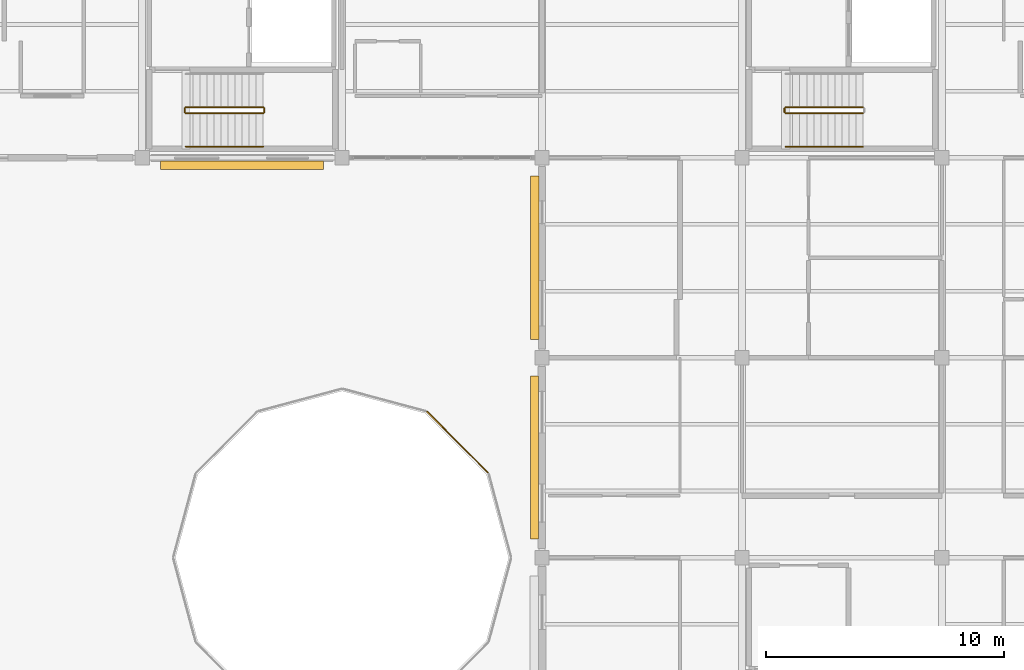
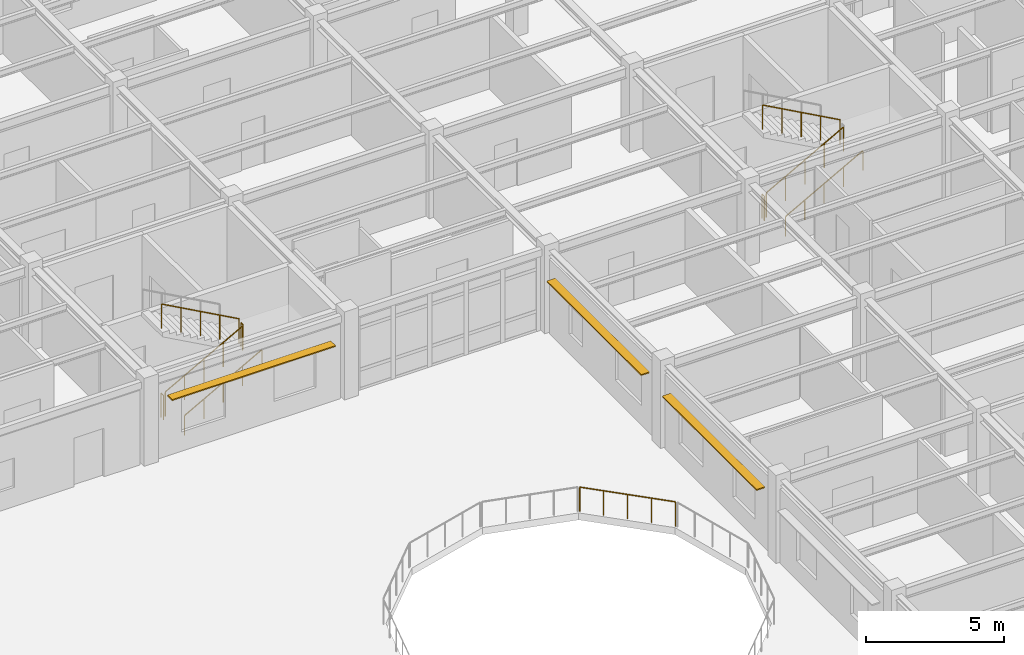
# One storey, part 79 of 86: 10 railings, 3 shading devices.
"""IFC4 building model written with IfcOpenShell, lengths in metres."""

from ifc_helpers import new_model, si_unit, direction, frame, origin, origin_2d, place, context, subcontext, project, spatial, rectangle, circle, extrude, material, material_profile, profile_set, type_object, element, save


model = new_model("IFC4")

# Units and contexts
model_context = context("Model", 3, precision=1e-05, world=origin(), true_north=direction((0.0, 1.0)))
body_context = subcontext(model_context, "Body", "Model", "MODEL_VIEW")
ifc_project = project(units=[si_unit("LENGTHUNIT", "METRE"), si_unit("AREAUNIT", "SQUARE_METRE"), si_unit("VOLUMEUNIT", "CUBIC_METRE"), si_unit("PLANEANGLEUNIT", "RADIAN"), si_unit("MASSUNIT", "GRAM", prefix="KILO")], contexts=[model_context])

# Site, building, storey
site_placement = place(None, origin())
site = spatial("IfcSite", under=ifc_project, at=site_placement, CompositionType="ELEMENT")
building_placement = place(site_placement, origin())
building = spatial("IfcBuilding", under=site, at=building_placement, Name="Bramfleet General Hospital", CompositionType="ELEMENT")
storey_placement = place(building_placement, frame((0.0, 0.0, 18.60009765625)))
storey = spatial("IfcBuildingStorey", under=building, at=storey_placement, Name="L04", CompositionType="ELEMENT", Elevation=18.60009765625)

# Railings
ifc_material_1 = material(Name="Stainless steel 1.4401 safety balustrade", Category="steel")
railing_type_1 = type_object("IfcRailingType", Name="RAIL-EXT-GUARD", PredefinedType="GUARDRAIL", material=ifc_material_1)
railing_1_placement = place(storey_placement, frame((90.125732421875, 79.177734375, 0.0)))
element("IfcRailing", 1, at=railing_1_placement, inside=storey, type_object=railing_type_1, Name="L04 Safety Guard Rail 177", PredefinedType="GUARDRAIL", context=body_context, shape_type="SweptSolid", body=[
    extrude(circle(Radius=0.02392578125, at=origin_2d()), frame((0.0, 0.0, 1.076171875), z_axis=(-0.707072903751, 0.707140656999, 0.0), x_axis=(-0.707140656999, -0.707072903751, 0.0)), (0.0, 0.0, 1.0), 3.603271484375),
    extrude(circle(Radius=0.02099609375, at=origin_2d()), origin(), (0.0, 0.0, 1.0), 1.052001953125),
    extrude(circle(Radius=0.02099609375, at=origin_2d()), frame((-0.636962890625, 0.636962890625, 0.0)), (0.0, 0.0, 1.0), 1.052001953125),
    extrude(circle(Radius=0.02099609375, at=origin_2d()), frame((-1.27392578125, 1.27392578125, 0.0)), (0.0, 0.0, 1.0), 1.052001953125),
    extrude(circle(Radius=0.02099609375, at=origin_2d()), frame((-1.910888671875, 1.9111328125, 0.0)), (0.0, 0.0, 1.0), 1.052001953125),
    extrude(circle(Radius=0.02099609375, at=origin_2d()), frame((-2.5478515625, 2.548095703125, 0.0)), (0.0, 0.0, 1.0), 1.052001953125),
])
ifc_material_2 = material(Name="Powder-coated steel stair balustrade", Category="steel")
railing_type_2 = type_object("IfcRailingType", Name="RAIL-ST-GUARD", PredefinedType="GUARDRAIL", material=ifc_material_2)
railing_2_placement = place(storey_placement, frame((102.639892578125, 94.27001953125, 0.162353515625)))
element("IfcRailing", 2, at=railing_2_placement, inside=storey, type_object=railing_type_2, Name="L04 ST-C4 stair guard 1", PredefinedType="GUARDRAIL", context=body_context, shape_type="SweptSolid", body=[
    extrude(circle(Radius=0.02392578125, at=origin_2d()), frame((0.0, 0.0, 1.076171875), z_axis=(0.875898504189, 0.0, 0.482495399314), x_axis=(0.0, 1.0, 0.0)), (0.0, 0.0, 1.0), 3.704833984375),
    extrude(circle(Radius=0.02099609375, at=origin_2d()), origin(), (0.0, 0.0, 1.0), 1.052001953125),
    extrude(circle(Radius=0.02099609375, at=origin_2d()), frame((0.811279296875, 0.0, 0.44677734375)), (0.0, 0.0, 1.0), 1.052001953125),
    extrude(circle(Radius=0.02099609375, at=origin_2d()), frame((1.62255859375, 0.0, 0.893798828125)), (0.0, 0.0, 1.0), 1.052001953125),
    extrude(circle(Radius=0.02099609375, at=origin_2d()), frame((2.433837890625, 0.0, 1.3408203125)), (0.0, 0.0, 1.0), 1.052001953125),
    extrude(circle(Radius=0.02099609375, at=origin_2d()), frame((3.2451171875, 0.0, 1.78759765625)), (0.0, 0.0, 1.0), 1.052001953125),
])
railing_3_placement = place(storey_placement, frame((105.885009765625, 94.530029296875, 2.1123046875)))
element("IfcRailing", 3, at=railing_3_placement, inside=storey, type_object=railing_type_2, Name="L04 ST-C4 stair guard 3", PredefinedType="GUARDRAIL", context=body_context, shape_type="SweptSolid", body=[
    extrude(circle(Radius=0.02392578125, at=origin_2d()), frame((0.0, 0.0, 1.076171875), z_axis=(-0.875898504189, 0.0, 0.482495399314), x_axis=(0.0, -1.0, 0.0)), (0.0, 0.0, 1.0), 3.704833984375),
    extrude(circle(Radius=0.02099609375, at=origin_2d()), origin(), (0.0, 0.0, 1.0), 1.052001953125),
    extrude(circle(Radius=0.02099609375, at=origin_2d()), frame((-0.811279296875, 0.0, 0.44677734375)), (0.0, 0.0, 1.0), 1.052001953125),
    extrude(circle(Radius=0.02099609375, at=origin_2d()), frame((-1.62255859375, 0.0, 0.893798828125)), (0.0, 0.0, 1.0), 1.052001953125),
    extrude(circle(Radius=0.02099609375, at=origin_2d()), frame((-2.433837890625, 0.0, 1.3408203125)), (0.0, 0.0, 1.0), 1.052001953125),
    extrude(circle(Radius=0.02099609375, at=origin_2d()), frame((-3.2451171875, 0.0, 1.78759765625)), (0.0, 0.0, 1.0), 1.052001953125),
])
railing_4_placement = place(storey_placement, frame((102.590087890625, 94.320068359375, 0.0)))
element("IfcRailing", 4, at=railing_4_placement, inside=storey, type_object=railing_type_2, Name="L04 ST-C4 stair guard 4", PredefinedType="GUARDRAIL", context=body_context, shape_type="SweptSolid", body=[
    extrude(circle(Radius=0.02392578125, at=origin_2d()), frame((0.0, 0.0, 1.076171875), z_axis=(0.0, 1.0, 0.0), x_axis=(-1.0, 0.0, 0.0)), (0.0, 0.0, 1.0), 0.159912109375),
    extrude(circle(Radius=0.02099609375, at=origin_2d()), origin(), (0.0, 0.0, 1.0), 1.052001953125),
    extrude(circle(Radius=0.02099609375, at=origin_2d()), frame((0.0, 0.159912109375, 0.0)), (0.0, 0.0, 1.0), 1.052001953125),
])
railing_5_placement = place(storey_placement, frame((77.43994140625, 94.27001953125, 0.162353515625)))
element("IfcRailing", 5, at=railing_5_placement, inside=storey, type_object=railing_type_2, Name="L04 ST-C5 stair guard 1", PredefinedType="GUARDRAIL", context=body_context, shape_type="SweptSolid", body=[
    extrude(circle(Radius=0.02392578125, at=origin_2d()), frame((0.0, 0.0, 1.076171875), z_axis=(0.875898504189, 0.0, 0.482495399314), x_axis=(0.0, 1.0, 0.0)), (0.0, 0.0, 1.0), 3.704833984375),
    extrude(circle(Radius=0.02099609375, at=origin_2d()), origin(), (0.0, 0.0, 1.0), 1.052001953125),
    extrude(circle(Radius=0.02099609375, at=origin_2d()), frame((0.811279296875, 0.0, 0.44677734375)), (0.0, 0.0, 1.0), 1.052001953125),
    extrude(circle(Radius=0.02099609375, at=origin_2d()), frame((1.62255859375, 0.0, 0.893798828125)), (0.0, 0.0, 1.0), 1.052001953125),
    extrude(circle(Radius=0.02099609375, at=origin_2d()), frame((2.433837890625, 0.0, 1.3408203125)), (0.0, 0.0, 1.0), 1.052001953125),
    extrude(circle(Radius=0.02099609375, at=origin_2d()), frame((3.2451171875, 0.0, 1.78759765625)), (0.0, 0.0, 1.0), 1.052001953125),
])
railing_6_placement = place(storey_placement, frame((80.735107421875, 94.320068359375, 1.949951171875)))
element("IfcRailing", 6, at=railing_6_placement, inside=storey, type_object=railing_type_2, Name="L04 ST-C5 stair guard 2", PredefinedType="GUARDRAIL", context=body_context, shape_type="SweptSolid", body=[
    extrude(circle(Radius=0.02392578125, at=origin_2d()), frame((0.0, 0.0, 1.076171875), z_axis=(0.0, 1.0, 0.0), x_axis=(-1.0, 0.0, 0.0)), (0.0, 0.0, 1.0), 0.159912109375),
    extrude(circle(Radius=0.02099609375, at=origin_2d()), origin(), (0.0, 0.0, 1.0), 1.052001953125),
    extrude(circle(Radius=0.02099609375, at=origin_2d()), frame((0.0, 0.159912109375, 0.0)), (0.0, 0.0, 1.0), 1.052001953125),
])
railing_7_placement = place(storey_placement, frame((80.68505859375, 94.530029296875, 2.1123046875)))
element("IfcRailing", 7, at=railing_7_placement, inside=storey, type_object=railing_type_2, Name="L04 ST-C5 stair guard 3", PredefinedType="GUARDRAIL", context=body_context, shape_type="SweptSolid", body=[
    extrude(circle(Radius=0.02392578125, at=origin_2d()), frame((0.0, 0.0, 1.076171875), z_axis=(-0.875898504189, 0.0, 0.482495399314), x_axis=(0.0, -1.0, 0.0)), (0.0, 0.0, 1.0), 3.704833984375),
    extrude(circle(Radius=0.02099609375, at=origin_2d()), origin(), (0.0, 0.0, 1.0), 1.052001953125),
    extrude(circle(Radius=0.02099609375, at=origin_2d()), frame((-0.811279296875, 0.0, 0.44677734375)), (0.0, 0.0, 1.0), 1.052001953125),
    extrude(circle(Radius=0.02099609375, at=origin_2d()), frame((-1.62255859375, 0.0, 0.893798828125)), (0.0, 0.0, 1.0), 1.052001953125),
    extrude(circle(Radius=0.02099609375, at=origin_2d()), frame((-2.433837890625, 0.0, 1.3408203125)), (0.0, 0.0, 1.0), 1.052001953125),
    extrude(circle(Radius=0.02099609375, at=origin_2d()), frame((-3.2451171875, 0.0, 1.78759765625)), (0.0, 0.0, 1.0), 1.052001953125),
])
railing_8_placement = place(storey_placement, frame((77.389892578125, 94.320068359375, 0.0)))
element("IfcRailing", 8, at=railing_8_placement, inside=storey, type_object=railing_type_2, Name="L04 ST-C5 stair guard 4", PredefinedType="GUARDRAIL", context=body_context, shape_type="SweptSolid", body=[
    extrude(circle(Radius=0.02392578125, at=origin_2d()), frame((0.0, 0.0, 1.076171875), z_axis=(0.0, 1.0, 0.0), x_axis=(-1.0, 0.0, 0.0)), (0.0, 0.0, 1.0), 0.159912109375),
    extrude(circle(Radius=0.02099609375, at=origin_2d()), origin(), (0.0, 0.0, 1.0), 1.052001953125),
    extrude(circle(Radius=0.02099609375, at=origin_2d()), frame((0.0, 0.159912109375, 0.0)), (0.0, 0.0, 1.0), 1.052001953125),
])
ifc_material_3 = material(Name="Stainless steel 1.4301 stair handrail", Category="steel")
railing_type_3 = type_object("IfcRailingType", Name="RAIL-ST-HND", PredefinedType="HANDRAIL", material=ifc_material_3)
for number, where, name in (
    (9, (102.639892578125, 92.8701171875, 0.162353515625), "L04 ST-C4 stair handrail 1"),
    (10, (77.43994140625, 92.8701171875, 0.162353515625), "L04 ST-C5 stair handrail 1"),
):
    element("IfcRailing", number, at=place(storey_placement, frame(where)), inside=storey, type_object=railing_type_3, Name=name, PredefinedType="HANDRAIL", context=body_context, shape_type="SweptSolid", body=[
        extrude(circle(Radius=0.02392578125, at=origin_2d()), frame((0.0, 0.0, 0.8759765625), z_axis=(0.875898504189, 0.0, 0.482495399314), x_axis=(0.0, 1.0, 0.0)), (0.0, 0.0, 1.0), 3.704833984375),
        extrude(circle(Radius=0.02099609375, at=origin_2d()), origin(), (0.0, 0.0, 1.0), 0.851806640625),
        extrude(circle(Radius=0.02099609375, at=origin_2d()), frame((0.811279296875, 0.0, 0.44677734375)), (0.0, 0.0, 1.0), 0.851806640625),
        extrude(circle(Radius=0.02099609375, at=origin_2d()), frame((1.62255859375, 0.0, 0.893798828125)), (0.0, 0.0, 1.0), 0.851806640625),
        extrude(circle(Radius=0.02099609375, at=origin_2d()), frame((2.433837890625, 0.0, 1.3408203125)), (0.0, 0.0, 1.0), 0.851806640625),
        extrude(circle(Radius=0.02099609375, at=origin_2d()), frame((3.2451171875, 0.0, 1.78759765625)), (0.0, 0.0, 1.0), 0.851806640625),
    ])

# Shading devices
ifc_material_4 = material(Name="Anodised aluminium EN AW-6063", Category="aluminium")
ifc_material_profile = material_profile(ifc_material_4, rectangle(XDim=0.050048828125, YDim=0.35009765625, at=origin_2d()), Name="ALU LOUVRE 350x50")
ifc_profile_set = profile_set([ifc_material_profile], Name="Anodised aluminium EN AW-6063")
shading_device_type = type_object("IfcShadingDeviceType", Name="SHD-LVR-350", PredefinedType="USERDEFINED", material=ifc_profile_set)
for number, where, z_axis, x_axis, name in (
    (11, (83.22509765625, 92.092529296875, 2.669921875), (-1.0, 0.0, 0.0), (0.0, 0.0, 1.0), "L04 Solar Shading Louvre 1"),
    (12, (92.08251953125, 76.375, 2.669921875), (0.0, 1.0, 0.0), (0.0, 0.0, 1.0), "L04 Solar Shading Louvre 37"),
    (13, (92.092529296875, 84.77490234375, 2.669921875), (0.0, 1.0, 0.0), (0.0, 0.0, 1.0), "L04 Solar Shading Louvre 38"),
):
    element("IfcShadingDevice", number, at=place(storey_placement, frame(where, z_axis=z_axis, x_axis=x_axis)), inside=storey, type_object=shading_device_type, Name=name, ObjectType="Louvre", PredefinedType="USERDEFINED", context=body_context, shape_type="SweptSolid", body=[
        extrude(rectangle(XDim=0.050048828125, YDim=0.35009765625, at=origin_2d()), origin(), (0.0, 0.0, 1.0), 6.85009765625),
    ])

save(model, "model.ifc")
